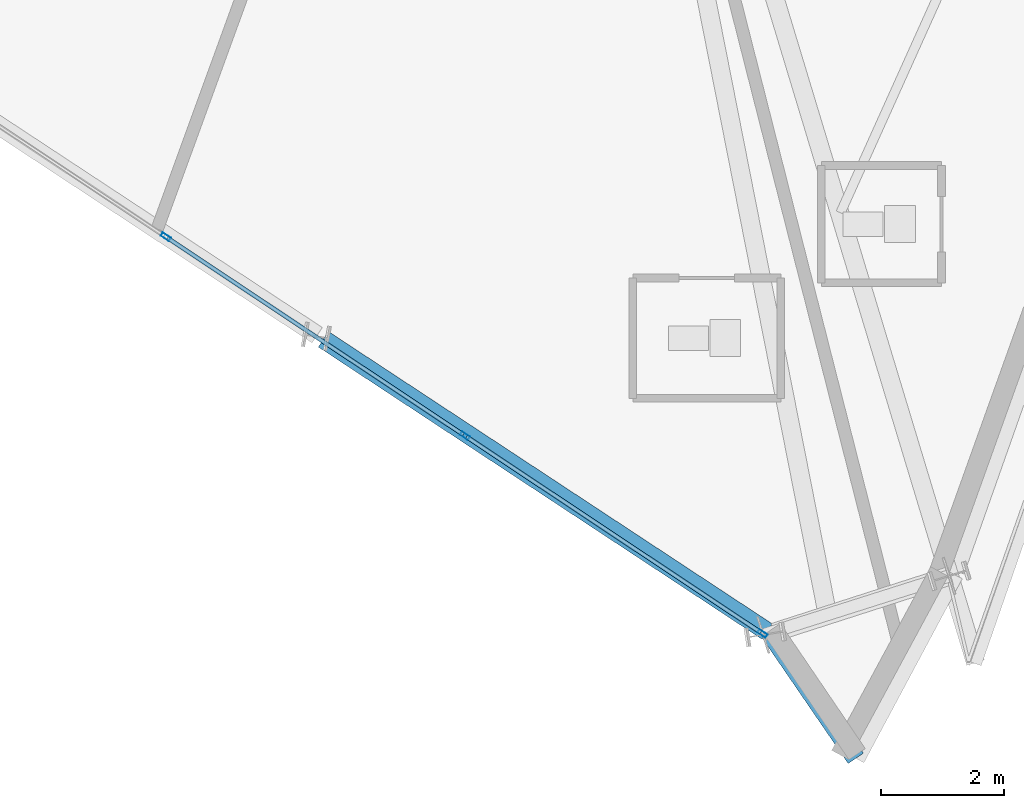
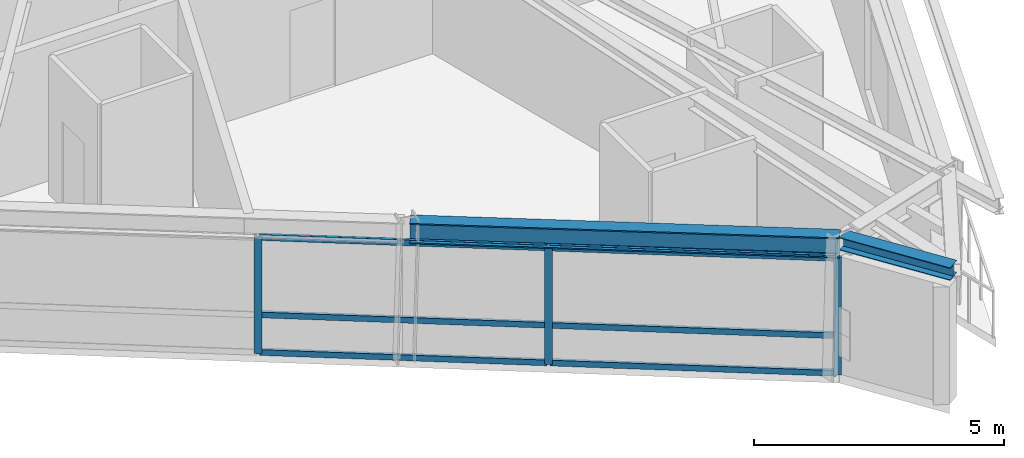
# One storey, part 3 of 15: 9 members, 2 beams, 1 element without a shape of its own.
"""IFC4 building model written with IfcOpenShell, lengths in metres."""

from ifc_helpers import new_model, si_unit, direction, frame, origin, origin_2d, place, context, subcontext, project, spatial, hollow_rectangle, i_section, extrude, source, transform, mapped, material, material_profile, profile_set, type_object, element, aggregate, save


model = new_model("IFC4")

# Units and contexts
model_context = context("Model", 3, precision=1e-05, world=origin(), true_north=direction((0.0, 1.0)))
body_context = subcontext(model_context, "Body", "Model", "MODEL_VIEW")
ifc_project = project(units=[si_unit("LENGTHUNIT", "METRE"), si_unit("AREAUNIT", "SQUARE_METRE"), si_unit("VOLUMEUNIT", "CUBIC_METRE"), si_unit("PLANEANGLEUNIT", "RADIAN"), si_unit("MASSUNIT", "GRAM", prefix="KILO")], contexts=[model_context])

# Site, building, storey
site_placement = place(None, origin())
site = spatial("IfcSite", under=ifc_project, at=site_placement, CompositionType="ELEMENT")
building_placement = place(site_placement, origin())
building = spatial("IfcBuilding", under=site, at=building_placement, Name="Olszyna Solenne Hotel", CompositionType="ELEMENT")
storey_placement = place(building_placement, frame((0.0, 0.0, 245.300048828125)))
storey = spatial("IfcBuildingStorey", under=building, at=storey_placement, Name="L65", CompositionType="ELEMENT", Elevation=245.300048828125)

# Beams
ifc_material_1 = material(Name="Steel S355J2", Category="steel")
ifc_material_profile_1 = material_profile(ifc_material_1, i_section(OverallWidth=0.300048828125, OverallDepth=0.5, WebThickness=0.014404296875, FlangeThickness=0.028076171875, at=origin_2d()), Name="HEB 500", Category="load-bearing")
ifc_profile_set_1 = profile_set([ifc_material_profile_1], Name="Steel S355J2")
beam_type_1 = type_object("IfcBeamType", Name="BM-S3", PredefinedType="BEAM", material=ifc_profile_set_1)
shared_shape_1 = source(origin(), body_context, "Body", "SweptSolid", [
    extrude(i_section(OverallWidth=0.300048828125, OverallDepth=0.5, WebThickness=0.014404296875, FlangeThickness=0.028076171875, at=origin_2d()), origin(), (0.0, 0.0, 1.0), 8.616943359375),
])
beam_1_placement = place(storey_placement, frame((34.628662109375, 8.147705078125, 3.1298828125), z_axis=(0.835132137591, -0.550049373022, 0.0), x_axis=(0.550049373022, 0.835132137591, 0.0)))
element("IfcBeam", 1, at=beam_1_placement, inside=storey, type_object=beam_type_1, Name="Perimeter spandrel beam BM-S3 B-L65-1919", PredefinedType="BEAM", context=body_context, shape_type="MappedRepresentation", body=[
    mapped(shared_shape_1, transform((0.0, 0.0, 0.0), x_axis=(1.0, 0.0, 0.0), y_axis=(0.0, 1.0, 0.0), z_axis=(0.0, 0.0, 1.0), scale=1.0)),
])
ifc_material_profile_2 = material_profile(ifc_material_1, i_section(OverallWidth=0.300048828125, OverallDepth=0.31005859375, WebThickness=0.009033203125, FlangeThickness=0.015380859375, at=origin_2d()), Name="HEA 320", Category="load-bearing")
ifc_profile_set_2 = profile_set([ifc_material_profile_2], Name="Steel S355J2")
beam_type_2 = type_object("IfcBeamType", Name="BM-G3", PredefinedType="BEAM", material=ifc_profile_set_2)
shared_shape_2 = source(origin(), body_context, "Body", "SweptSolid", [
    extrude(i_section(OverallWidth=0.300048828125, OverallDepth=0.31005859375, WebThickness=0.009033203125, FlangeThickness=0.015380859375, at=origin_2d()), origin(), (0.0, 0.0, 1.0), 2.4521484375),
])
beam_2_placement = place(storey_placement, frame((41.875, 3.375, 3.224853515625), z_axis=(0.565429671028, -0.824796512554, 0.0), x_axis=(0.824796512554, 0.565429671028, 0.0)))
element("IfcBeam", 2, at=beam_2_placement, inside=storey, type_object=beam_type_2, Name="Prism side edge beam BM-G3 B-L65-1933", PredefinedType="BEAM", context=body_context, shape_type="MappedRepresentation", body=[
    mapped(shared_shape_2, transform((0.0, 0.0, 0.0), x_axis=(1.0, 0.0, 0.0), y_axis=(0.0, 1.0, 0.0), z_axis=(0.0, 0.0, 1.0), scale=1.0)),
])

# Curtain wall, members
ifc_material_2 = material(Name="Anodised bronze aluminium", Category="aluminium")
curtain_wall_type = type_object("IfcCurtainWallType", Name="CW-SYS-4", PredefinedType="NOTDEFINED", material=ifc_material_2)
curtain_wall_placement = place(storey_placement, origin())
curtain_wall = element("IfcCurtainWall", 3, at=curtain_wall_placement, inside=storey, type_object=curtain_wall_type, Name="Unitised curtain wall CW-SYS-4 CW-L65-01", PredefinedType="NOTDEFINED")
ifc_material_profile_3 = material_profile(ifc_material_2, hollow_rectangle(XDim=0.06494140625, YDim=0.159912109375, WallThickness=0.00390625, at=origin_2d()), Name="MULL 160x65x4", Category="load-bearing")
ifc_profile_set_3 = profile_set([ifc_material_profile_3], Name="Anodised bronze aluminium")
member_type_1 = type_object("IfcMemberType", Name="CW-M3", PredefinedType="MULLION", material=ifc_profile_set_3)
shared_shape_3 = source(origin(), body_context, "Body", "SweptSolid", [
    extrude(hollow_rectangle(XDim=0.06494140625, YDim=0.159912109375, WallThickness=0.00390625, at=origin_2d()), origin(), (0.0, 0.0, 1.0), 2.8720703125),
])
member_1_placement = place(storey_placement, frame((32.072998046875, 9.80859375, 0.0), z_axis=(0.0, 0.0, 1.0), x_axis=(0.553694785816, 0.832719691229, 0.0)))
member_1 = element("IfcMember", 4, at=member_1_placement, type_object=member_type_1, Name="Curtain-wall mullion CW-M3 CM-L65-01-02", PredefinedType="MULLION", context=body_context, shape_type="MappedRepresentation", body=[
    mapped(shared_shape_3, transform((0.0, 0.0, 0.0), x_axis=(1.0, 0.0, 0.0), y_axis=(0.0, 1.0, 0.0), z_axis=(0.0, 0.0, 1.0), scale=1.0)),
])
member_2_placement = place(storey_placement, frame((36.92333984375, 6.58349609375, 0.0), z_axis=(0.0, 0.0, 1.0), x_axis=(0.553694785816, 0.832719691229, 0.0)))
member_2 = element("IfcMember", 5, at=member_2_placement, type_object=member_type_1, Name="Curtain-wall mullion CW-M3 CM-L65-01-03", PredefinedType="MULLION", context=body_context, shape_type="MappedRepresentation", body=[
    mapped(shared_shape_3, transform((0.0, 0.0, 0.0), x_axis=(1.0, 0.0, 0.0), y_axis=(0.0, 1.0, 0.0), z_axis=(0.0, 0.0, 1.0), scale=1.0)),
])
member_3_placement = place(storey_placement, frame((41.74658203125, 3.376220703125, 0.0), z_axis=(0.0, 0.0, 1.0), x_axis=(0.553694785816, 0.832719691229, 0.0)))
member_3 = element("IfcMember", 6, at=member_3_placement, type_object=member_type_1, Name="Curtain-wall mullion CW-M3 CM-L65-01-04", PredefinedType="MULLION", context=body_context, shape_type="MappedRepresentation", body=[
    mapped(shared_shape_3, transform((0.0, 0.0, 0.0), x_axis=(1.0, 0.0, 0.0), y_axis=(0.0, 1.0, 0.0), z_axis=(0.0, 0.0, 1.0), scale=1.0)),
])
ifc_material_profile_4 = material_profile(ifc_material_2, hollow_rectangle(XDim=0.06494140625, YDim=0.139892578125, WallThickness=0.00390625, at=origin_2d()), Name="TRAN 140x65x4", Category="load-bearing")
ifc_profile_set_4 = profile_set([ifc_material_profile_4], Name="Anodised bronze aluminium")
member_type_2 = type_object("IfcMemberType", Name="CW-T2", PredefinedType="USERDEFINED", material=ifc_profile_set_4)
shared_shape_4 = source(origin(), body_context, "Body", "SweptSolid", [
    extrude(hollow_rectangle(XDim=0.06494140625, YDim=0.139892578125, WallThickness=0.00390625, at=origin_2d()), origin(), (0.0, 0.0, 1.0), 5.759765625),
])
member_4_placement = place(storey_placement, frame((32.10009765625, 9.79052734375, 0.032470703125), z_axis=(0.832708349008, -0.553711843374, 0.0), x_axis=(0.553711843374, 0.832708349008, 0.0)))
member_4 = element("IfcMember", 7, at=member_4_placement, type_object=member_type_2, Name="Curtain-wall transom CW-T2 CT-L65-01-04", ObjectType="TRANSOM", PredefinedType="USERDEFINED", context=body_context, shape_type="MappedRepresentation", body=[
    mapped(shared_shape_4, transform((0.0, 0.0, 0.0), x_axis=(1.0, 0.0, 0.0), y_axis=(0.0, 1.0, 0.0), z_axis=(0.0, 0.0, 1.0), scale=1.0)),
])
member_5_placement = place(storey_placement, frame((32.10009765625, 9.79052734375, 0.949951171875), z_axis=(0.832708349008, -0.553711843374, 0.0), x_axis=(0.553711843374, 0.832708349008, 0.0)))
member_5 = element("IfcMember", 8, at=member_5_placement, type_object=member_type_2, Name="Curtain-wall transom CW-T2 CT-L65-01-05", ObjectType="TRANSOM", PredefinedType="USERDEFINED", context=body_context, shape_type="MappedRepresentation", body=[
    mapped(shared_shape_4, transform((0.0, 0.0, 0.0), x_axis=(1.0, 0.0, 0.0), y_axis=(0.0, 1.0, 0.0), z_axis=(0.0, 0.0, 1.0), scale=1.0)),
])
member_6_placement = place(storey_placement, frame((32.10009765625, 9.79052734375, 2.83935546875), z_axis=(0.832708349008, -0.553711843374, 0.0), x_axis=(0.553711843374, 0.832708349008, 0.0)))
member_6 = element("IfcMember", 9, at=member_6_placement, type_object=member_type_2, Name="Curtain-wall transom CW-T2 CT-L65-01-06", ObjectType="TRANSOM", PredefinedType="USERDEFINED", context=body_context, shape_type="MappedRepresentation", body=[
    mapped(shared_shape_4, transform((0.0, 0.0, 0.0), x_axis=(1.0, 0.0, 0.0), y_axis=(0.0, 1.0, 0.0), z_axis=(0.0, 0.0, 1.0), scale=1.0)),
])
shared_shape_5 = source(origin(), body_context, "Body", "SweptSolid", [
    extrude(hollow_rectangle(XDim=0.06494140625, YDim=0.139892578125, WallThickness=0.00390625, at=origin_2d()), origin(), (0.0, 0.0, 1.0), 5.72705078125),
])
member_7_placement = place(storey_placement, frame((36.950439453125, 6.5654296875, 0.032470703125), z_axis=(0.832712087954, -0.553706220459, 0.0), x_axis=(0.553706220459, 0.832712087954, 0.0)))
member_7 = element("IfcMember", 10, at=member_7_placement, type_object=member_type_2, Name="Curtain-wall transom CW-T2 CT-L65-01-07", ObjectType="TRANSOM", PredefinedType="USERDEFINED", context=body_context, shape_type="MappedRepresentation", body=[
    mapped(shared_shape_5, transform((0.0, 0.0, 0.0), x_axis=(1.0, 0.0, 0.0), y_axis=(0.0, 1.0, 0.0), z_axis=(0.0, 0.0, 1.0), scale=1.0)),
])
member_8_placement = place(storey_placement, frame((36.950439453125, 6.5654296875, 0.949951171875), z_axis=(0.832712087954, -0.553706220459, 0.0), x_axis=(0.553706220459, 0.832712087954, 0.0)))
member_8 = element("IfcMember", 11, at=member_8_placement, type_object=member_type_2, Name="Curtain-wall transom CW-T2 CT-L65-01-08", ObjectType="TRANSOM", PredefinedType="USERDEFINED", context=body_context, shape_type="MappedRepresentation", body=[
    mapped(shared_shape_5, transform((0.0, 0.0, 0.0), x_axis=(1.0, 0.0, 0.0), y_axis=(0.0, 1.0, 0.0), z_axis=(0.0, 0.0, 1.0), scale=1.0)),
])
member_9_placement = place(storey_placement, frame((36.950439453125, 6.5654296875, 2.83935546875), z_axis=(0.832712087954, -0.553706220459, 0.0), x_axis=(0.553706220459, 0.832712087954, 0.0)))
member_9 = element("IfcMember", 12, at=member_9_placement, type_object=member_type_2, Name="Curtain-wall transom CW-T2 CT-L65-01-09", ObjectType="TRANSOM", PredefinedType="USERDEFINED", context=body_context, shape_type="MappedRepresentation", body=[
    mapped(shared_shape_5, transform((0.0, 0.0, 0.0), x_axis=(1.0, 0.0, 0.0), y_axis=(0.0, 1.0, 0.0), z_axis=(0.0, 0.0, 1.0), scale=1.0)),
])
aggregate(curtain_wall, [member_1, member_2, member_3, member_4, member_5, member_6, member_7, member_8, member_9])

save(model, "model.ifc")
